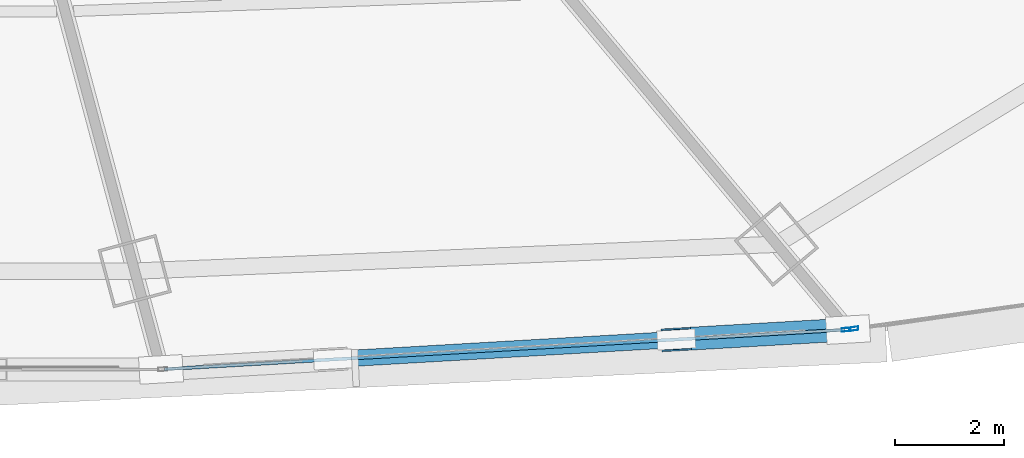
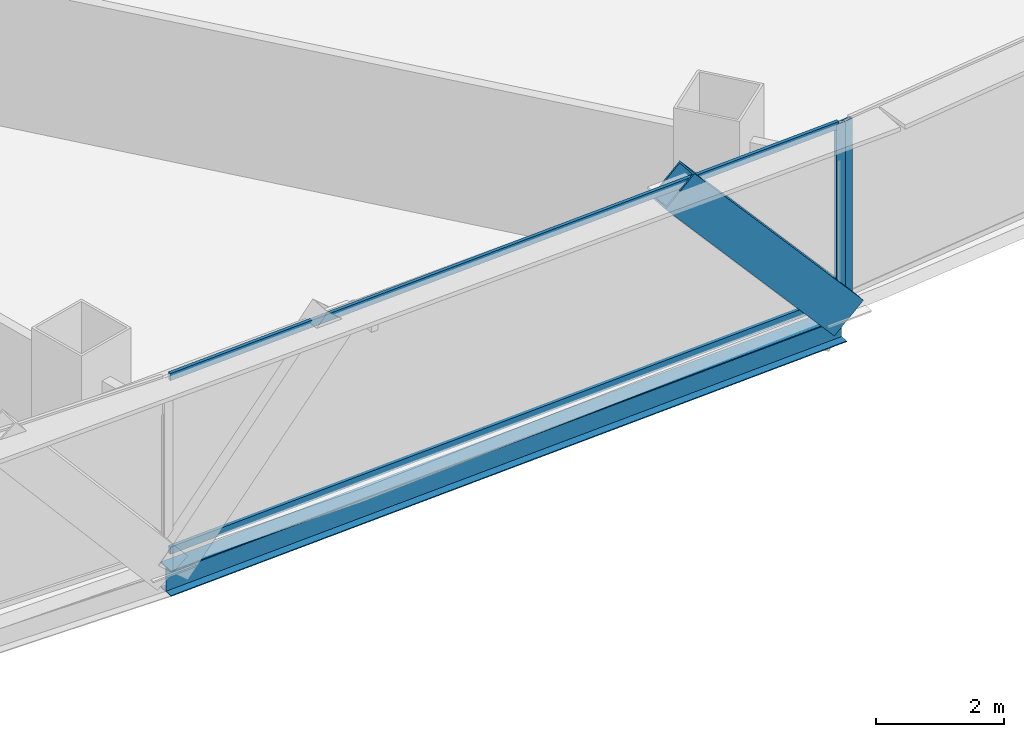
# One storey, part 11 of 38: 5 members, 1 beam, 2 elements without a shape of their own.
"""IFC4 building model written with IfcOpenShell, lengths in metres."""

from ifc_helpers import new_model, si_unit, direction, frame, origin, origin_2d, place, context, subcontext, project, spatial, hollow_rectangle, i_section, extrude, source, transform, mapped, material, layer, layer_set, material_profile, profile_set, type_object, element, aggregate, save


model = new_model("IFC4")

# Units and contexts
model_context = context("Model", 3, precision=1e-05, world=origin(), true_north=direction((0.0, 1.0)))
body_context = subcontext(model_context, "Body", "Model", "MODEL_VIEW")
ifc_project = project(units=[si_unit("LENGTHUNIT", "METRE"), si_unit("AREAUNIT", "SQUARE_METRE"), si_unit("VOLUMEUNIT", "CUBIC_METRE"), si_unit("PLANEANGLEUNIT", "RADIAN"), si_unit("MASSUNIT", "GRAM", prefix="KILO"), si_unit("THERMODYNAMICTEMPERATUREUNIT", "KELVIN"), si_unit("POWERUNIT", "WATT")], contexts=[model_context])

# Site, building, storey
site_placement = place(None, origin())
site = spatial("IfcSite", under=ifc_project, at=site_placement, CompositionType="ELEMENT")
building_placement = place(site_placement, origin())
building = spatial("IfcBuilding", under=site, at=building_placement, Name="Yunzhuo Pagoda Commons", CompositionType="ELEMENT")
storey_placement = place(building_placement, frame((0.0, 0.0, 34.030029296875)))
storey = spatial("IfcBuildingStorey", under=building, at=storey_placement, Name="L08", CompositionType="ELEMENT", Elevation=34.030029296875)

# Beam
ifc_material_1 = material(Name="Structural steel Q355B", Category="steel")
ifc_material_profile_1 = material_profile(ifc_material_1, i_section(OverallWidth=0.300048828125, OverallDepth=0.488037109375, WebThickness=0.010986328125, FlangeThickness=0.01806640625, at=origin_2d()), Name="Structural steel Q355B")
ifc_profile_set_1 = profile_set([ifc_material_profile_1], Name="Structural steel Q355B")
beam_type = type_object("IfcBeamType", Name="B-SP1 Beam HM 488x300x11x18", PredefinedType="BEAM", material=ifc_profile_set_1)
shared_shape_1 = source(origin(), body_context, "Body", "SweptSolid", [
    extrude(i_section(OverallWidth=0.300048828125, OverallDepth=0.488037109375, WebThickness=0.010986328125, FlangeThickness=0.01806640625, at=origin_2d()), origin(), (0.0, 0.0, 1.0), 12.630615234375),
])
beam_placement = place(storey_placement, frame((54.20361328125, 10.548095703125, -0.504150390625), z_axis=(0.998321766978, 0.05791070349, 0.0), x_axis=(-0.05791070349, 0.998321766978, 0.0)))
element("IfcBeam", 1, at=beam_placement, inside=storey, type_object=beam_type, Name="L08 facade edge spandrel beam F1.3", PredefinedType="BEAM", context=body_context, shape_type="MappedRepresentation", body=[
    mapped(shared_shape_1, transform((0.0, 0.0, 0.0), scale=1.0)),
])

# Member
ifc_material_2 = material(Name="Structural steel Q420B", Category="steel")
ifc_material_profile_2 = material_profile(ifc_material_2, hollow_rectangle(XDim=0.419921875, YDim=0.719970703125, WallThickness=0.028076171875, at=origin_2d()), Name="Structural steel Q420B")
ifc_profile_set_2 = profile_set([ifc_material_profile_2], Name="Structural steel Q420B")
member_type_1 = type_object("IfcMemberType", Name="M-DL1 Brace BOX 720x420x28", PredefinedType="BRACE", material=ifc_profile_set_2)
shared_shape_2 = source(origin(), body_context, "Body", "SweptSolid", [
    extrude(hollow_rectangle(XDim=0.419921875, YDim=0.719970703125, WallThickness=0.028076171875, at=origin_2d()), origin(), (0.0, 0.0, 1.0), 4.810791015625),
])
member_1_placement = place(storey_placement, frame((66.81298828125, 11.279541015625, -0.259765625), z_axis=(-0.655218136817, -0.038010873246, 0.754482847189), x_axis=(0.057915173823, -0.998321507652, 0.0)))
element("IfcMember", 2, at=member_1_placement, inside=storey, type_object=member_type_1, Name="L08 facade diamond brace F1.3R", PredefinedType="BRACE", context=body_context, shape_type="MappedRepresentation", body=[
    mapped(shared_shape_2, transform((0.0, 0.0, 0.0), scale=1.0)),
])

# Curtain wall, members
ifc_material_3 = material(Name="Anodized aluminium 6063-T6", Category="aluminium")
ifc_layer = layer(ifc_material_3, 0.1650390625)
ifc_layer_set = layer_set([ifc_layer], Name="Anodized aluminium 6063-T6")
curtain_wall_type = type_object("IfcCurtainWallType", Name="CW-LOW Low-Zone Ribbon Curtain Wall", PredefinedType="NOTDEFINED", material=ifc_layer_set)
curtain_wall_1_placement = place(storey_placement, origin())
curtain_wall_1 = element("IfcCurtainWall", 3, at=curtain_wall_1_placement, inside=storey, type_object=curtain_wall_type, Name="L08 curtain wall CW-L08-F1B4", PredefinedType="NOTDEFINED")
ifc_material_profile_3 = material_profile(ifc_material_3, hollow_rectangle(XDim=0.06005859375, YDim=0.139892578125, WallThickness=0.00341796875, at=origin_2d()), Name="Anodized aluminium 6063-T6")
ifc_profile_set_3 = profile_set([ifc_material_profile_3], Name="Anodized aluminium 6063-T6")
member_type_2 = type_object("IfcMemberType", Name="CW-LOW-T Transom RHS 140x60x3.5", PredefinedType="USERDEFINED", material=ifc_profile_set_3)
shared_shape_3 = source(origin(), body_context, "Body", "SweptSolid", [
    extrude(hollow_rectangle(XDim=0.06005859375, YDim=0.139892578125, WallThickness=0.00341796875, at=origin_2d()), origin(), (0.0, 0.0, 1.0), 12.50048828125),
])
member_2_placement = place(storey_placement, frame((54.2685546875, 10.552001953125, 0.030029296875), z_axis=(0.998323053617, 0.057888518877, 0.0), x_axis=(-0.057888518877, 0.998323053617, 0.0)))
member_2 = element("IfcMember", 4, at=member_2_placement, type_object=member_type_2, Name="CW transom 1.1", ObjectType="TRANSOM", PredefinedType="USERDEFINED", context=body_context, shape_type="MappedRepresentation", body=[
    mapped(shared_shape_3, transform((0.0, 0.0, 0.0), scale=1.0)),
])
member_3_placement = place(storey_placement, frame((54.2685546875, 10.552001953125, 3.340087890625), z_axis=(0.998323053617, 0.057888518877, 0.0), x_axis=(-0.057888518877, 0.998323053617, 0.0)))
member_3 = element("IfcMember", 5, at=member_3_placement, type_object=member_type_2, Name="CW transom 1.2", ObjectType="TRANSOM", PredefinedType="USERDEFINED", context=body_context, shape_type="MappedRepresentation", body=[
    mapped(shared_shape_3, transform((0.0, 0.0, 0.0), scale=1.0)),
])
ifc_material_profile_4 = material_profile(ifc_material_3, hollow_rectangle(XDim=0.06494140625, YDim=0.1650390625, WallThickness=0.00390625, at=origin_2d()), Name="Anodized aluminium 6063-T6")
ifc_profile_set_4 = profile_set([ifc_material_profile_4], Name="Anodized aluminium 6063-T6")
member_type_3 = type_object("IfcMemberType", Name="CW-LOW-M Mullion RHS 165x65x4", PredefinedType="MULLION", material=ifc_profile_set_4)
shared_shape_4 = source(origin(), body_context, "Body", "SweptSolid", [
    extrude(hollow_rectangle(XDim=0.06494140625, YDim=0.1650390625, WallThickness=0.00390625, at=origin_2d()), origin(), (0.0, 0.0, 1.0), 3.369873046875),
])
member_4_placement = place(storey_placement, frame((66.780517578125, 11.277587890625, 0.0), z_axis=(0.0, 0.0, 1.0), x_axis=(-0.05789866519, 0.998322465223, 0.0)))
member_4 = element("IfcMember", 6, at=member_4_placement, type_object=member_type_3, Name="CW mullion 2", PredefinedType="MULLION", context=body_context, shape_type="MappedRepresentation", body=[
    mapped(shared_shape_4, transform((0.0, 0.0, 0.0), scale=1.0)),
])
aggregate(curtain_wall_1, [member_4, member_2, member_3])

# Curtain wall, member
curtain_wall_2_placement = place(storey_placement, origin())
curtain_wall_2 = element("IfcCurtainWall", 7, at=curtain_wall_2_placement, inside=storey, type_object=curtain_wall_type, Name="L08 curtain wall CW-L08-F1B5", PredefinedType="NOTDEFINED")
member_5_placement = place(storey_placement, frame((66.91943359375, 11.29443359375, 0.0), z_axis=(0.0, 0.0, 1.0), x_axis=(-0.138293641491, 0.99039127052, 0.0)))
member_5 = element("IfcMember", 8, at=member_5_placement, type_object=member_type_3, Name="CW mullion 1", PredefinedType="MULLION", context=body_context, shape_type="MappedRepresentation", body=[
    mapped(shared_shape_4, transform((0.0, 0.0, 0.0), scale=1.0)),
])
aggregate(curtain_wall_2, [member_5])

save(model, "model.ifc")
